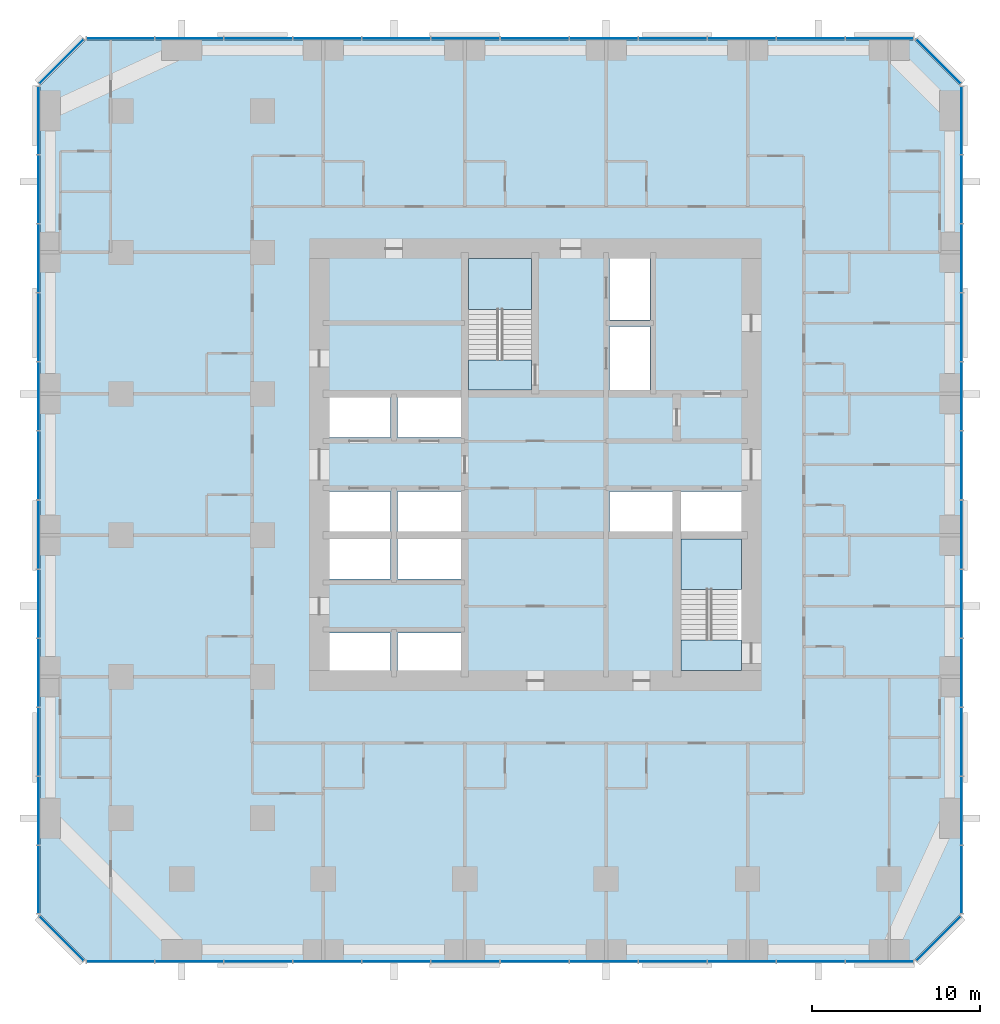
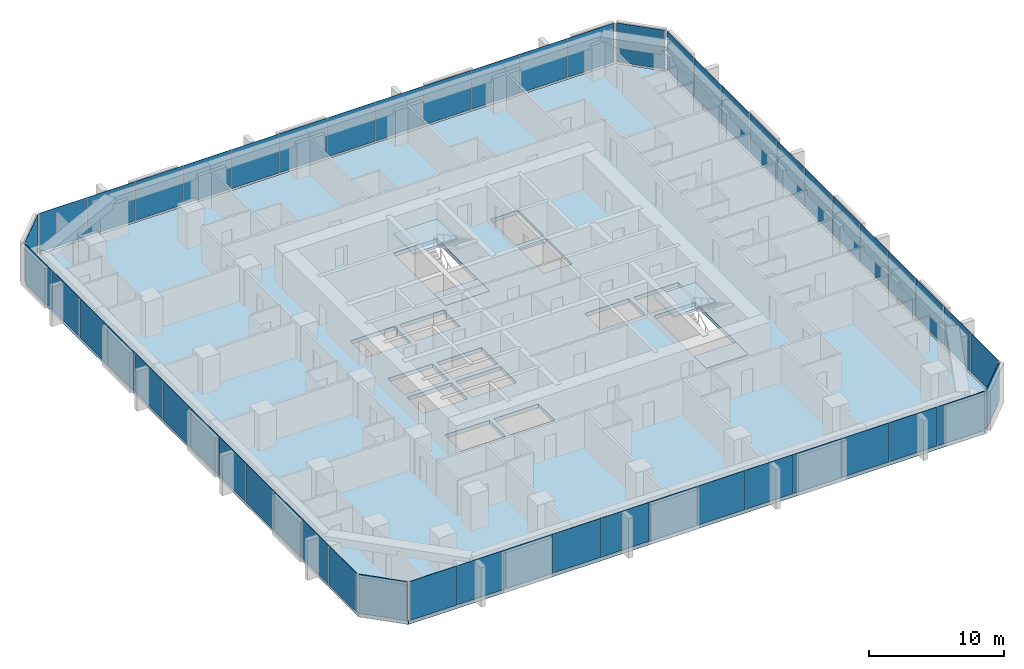
# One storey, part 7 of 13: 52 plates, 5 slabs, 10 elements without a shape of their own.
"""IFC4 building model written with IfcOpenShell, lengths in metres."""

from ifc_helpers import new_model, si_unit, direction, frame, origin, origin_2d, place, context, subcontext, project, spatial, polyline, rectangle, outline, extrude, material, layer, layer_set, type_object, element, aggregate, save


model = new_model("IFC4")

# Units and contexts
model_context = context("Model", 3, precision=1e-05, world=origin(), true_north=direction((0.0, 1.0)))
body_context = subcontext(model_context, "Body", "Model", "MODEL_VIEW")
ifc_project = project(units=[si_unit("LENGTHUNIT", "METRE"), si_unit("AREAUNIT", "SQUARE_METRE"), si_unit("VOLUMEUNIT", "CUBIC_METRE"), si_unit("PLANEANGLEUNIT", "RADIAN"), si_unit("MASSUNIT", "GRAM", prefix="KILO")], contexts=[model_context])

# Site, building, storey
site_placement = place(None, origin())
site = spatial("IfcSite", under=ifc_project, at=site_placement, CompositionType="ELEMENT")
building_placement = place(site_placement, origin())
building = spatial("IfcBuilding", under=site, at=building_placement, Name="Dunama Terrace Hotel", CompositionType="ELEMENT")
storey_placement = place(building_placement, frame((0.0, 0.0, 115.199951171875)))
storey = spatial("IfcBuildingStorey", under=building, at=storey_placement, Name="L29", CompositionType="ELEMENT", Elevation=115.199951171875)

# Curtain wall, plates
ifc_material_1 = material(Name="Aluminium curtain wall system", Category="aluminium")
curtain_wall_type = type_object("IfcCurtainWallType", Name="Unitised fritted glass wall CW-B", PredefinedType="NOTDEFINED", material=ifc_material_1)
curtain_wall_1_placement = place(storey_placement, origin())
curtain_wall_1 = element("IfcCurtainWall", 1, at=curtain_wall_1_placement, inside=storey, type_object=curtain_wall_type, Name="Unitised fritted glass wall CW-B L29", PredefinedType="NOTDEFINED")
ifc_material_2 = material(Name="Laminated glass", Category="glass")
ifc_layer_1 = layer(ifc_material_2, 0.030029296875)
ifc_layer_set_1 = layer_set([ifc_layer_1], Name="CWB clear glass panel")
plate_type_1 = type_object("IfcPlateType", Name="CWB clear glass panel", PredefinedType="CURTAIN_PANEL", material=ifc_layer_set_1)
plate_1_placement = place(storey_placement, frame((4.76611328125, -0.110107421875, 0.080078125), z_axis=(0.0, 0.0, 1.0), x_axis=(1.0, 0.0, 0.0)))
plate_1 = element("IfcPlate", 2, at=plate_1_placement, type_object=plate_type_1, Name="CWB clear glass panel", PredefinedType="CURTAIN_PANEL", context=body_context, shape_type="SweptSolid", body=[
    extrude(rectangle(XDim=4.00244140625, YDim=0.030029296875, at=origin_2d()), origin(), (0.0, 0.0, 1.0), 3.52001953125),
])
plate_2_placement = place(storey_placement, frame((17.050048828125, -0.110107421875, 0.080078125), z_axis=(0.0, 0.0, 1.0), x_axis=(1.0, 0.0, 0.0)))
plate_2 = element("IfcPlate", 3, at=plate_2_placement, type_object=plate_type_1, Name="CWB clear glass panel", PredefinedType="CURTAIN_PANEL", context=body_context, shape_type="SweptSolid", body=[
    extrude(rectangle(XDim=4.034912109375, YDim=0.030029296875, at=origin_2d()), origin(), (0.0, 0.0, 1.0), 3.52001953125),
])
plate_3_placement = place(storey_placement, frame((29.35009765625, -0.110107421875, 0.080078125), z_axis=(0.0, 0.0, 1.0), x_axis=(1.0, 0.0, 0.0)))
plate_3 = element("IfcPlate", 4, at=plate_3_placement, type_object=plate_type_1, Name="CWB clear glass panel", PredefinedType="CURTAIN_PANEL", context=body_context, shape_type="SweptSolid", body=[
    extrude(rectangle(XDim=4.034912109375, YDim=0.030029296875, at=origin_2d()), origin(), (0.0, 0.0, 1.0), 3.52001953125),
])
plate_4_placement = place(storey_placement, frame((41.64990234375, -0.110107421875, 0.080078125), z_axis=(0.0, 0.0, 1.0), x_axis=(1.0, 0.0, 0.0)))
plate_4 = element("IfcPlate", 5, at=plate_4_placement, type_object=plate_type_1, Name="CWB clear glass panel", PredefinedType="CURTAIN_PANEL", context=body_context, shape_type="SweptSolid", body=[
    extrude(rectangle(XDim=4.034912109375, YDim=0.030029296875, at=origin_2d()), origin(), (0.0, 0.0, 1.0), 3.52001953125),
])

# Curtain wall, plate
curtain_wall_2_placement = place(storey_placement, origin())
curtain_wall_2 = element("IfcCurtainWall", 6, at=curtain_wall_2_placement, inside=storey, type_object=curtain_wall_type, Name="Unitised fritted glass wall CW-B L29", PredefinedType="NOTDEFINED")
plate_5_placement = place(storey_placement, frame((53.327880859375, 1.27197265625, 0.080078125), z_axis=(0.0, 0.0, 1.0), x_axis=(0.707106781187, 0.707106781187, 0.0)))
plate_5 = element("IfcPlate", 7, at=plate_5_placement, type_object=plate_type_1, Name="CWB clear glass panel", PredefinedType="CURTAIN_PANEL", context=body_context, shape_type="SweptSolid", body=[
    extrude(rectangle(XDim=3.6884765625, YDim=0.030029296875, at=origin_2d()), origin(), (0.0, 0.0, 1.0), 3.52001953125),
])
aggregate(curtain_wall_2, [plate_5])

# Curtain wall, plates
curtain_wall_3_placement = place(storey_placement, origin())
curtain_wall_3 = element("IfcCurtainWall", 8, at=curtain_wall_3_placement, inside=storey, type_object=curtain_wall_type, Name="Unitised fritted glass wall CW-B L29", PredefinedType="NOTDEFINED")
plate_6_placement = place(storey_placement, frame((54.7099609375, 12.949951171875, 0.080078125), z_axis=(0.0, 0.0, 1.0), x_axis=(0.0, 1.0, 0.0)))
plate_6 = element("IfcPlate", 9, at=plate_6_placement, type_object=plate_type_1, Name="CWB clear glass panel", PredefinedType="CURTAIN_PANEL", context=body_context, shape_type="SweptSolid", body=[
    extrude(rectangle(XDim=4.034912109375, YDim=0.030029296875, at=origin_2d()), origin(), (0.0, 0.0, 1.0), 3.52001953125),
])
plate_7_placement = place(storey_placement, frame((54.7099609375, 25.25, 0.080078125), z_axis=(0.0, 0.0, 1.0), x_axis=(0.0, 1.0, 0.0)))
plate_7 = element("IfcPlate", 10, at=plate_7_placement, type_object=plate_type_1, Name="CWB clear glass panel", PredefinedType="CURTAIN_PANEL", context=body_context, shape_type="SweptSolid", body=[
    extrude(rectangle(XDim=4.034912109375, YDim=0.030029296875, at=origin_2d()), origin(), (0.0, 0.0, 1.0), 3.52001953125),
])
plate_8_placement = place(storey_placement, frame((54.7099609375, 37.550048828125, 0.080078125), z_axis=(0.0, 0.0, 1.0), x_axis=(0.0, 1.0, 0.0)))
plate_8 = element("IfcPlate", 11, at=plate_8_placement, type_object=plate_type_1, Name="CWB clear glass panel", PredefinedType="CURTAIN_PANEL", context=body_context, shape_type="SweptSolid", body=[
    extrude(rectangle(XDim=4.034912109375, YDim=0.030029296875, at=origin_2d()), origin(), (0.0, 0.0, 1.0), 3.52001953125),
])
plate_9_placement = place(storey_placement, frame((54.7099609375, 49.833984375, 0.080078125), z_axis=(0.0, 0.0, 1.0), x_axis=(0.0, 1.0, 0.0)))
plate_9 = element("IfcPlate", 12, at=plate_9_placement, type_object=plate_type_1, Name="CWB clear glass panel", PredefinedType="CURTAIN_PANEL", context=body_context, shape_type="SweptSolid", body=[
    extrude(rectangle(XDim=4.00244140625, YDim=0.030029296875, at=origin_2d()), origin(), (0.0, 0.0, 1.0), 3.52001953125),
])

curtain_wall_4_placement = place(storey_placement, origin())
curtain_wall_4 = element("IfcCurtainWall", 13, at=curtain_wall_4_placement, inside=storey, type_object=curtain_wall_type, Name="Unitised fritted glass wall CW-B L29", PredefinedType="NOTDEFINED")
plate_10_placement = place(storey_placement, frame((45.75, 54.7099609375, 0.080078125), z_axis=(0.0, 0.0, 1.0), x_axis=(-1.0, 0.0, 0.0)))
plate_10 = element("IfcPlate", 14, at=plate_10_placement, type_object=plate_type_1, Name="CWB clear glass panel", PredefinedType="CURTAIN_PANEL", context=body_context, shape_type="SweptSolid", body=[
    extrude(rectangle(XDim=4.034912109375, YDim=0.030029296875, at=origin_2d()), origin(), (0.0, 0.0, 1.0), 3.52001953125),
])
plate_11_placement = place(storey_placement, frame((33.449951171875, 54.7099609375, 0.080078125), z_axis=(0.0, 0.0, 1.0), x_axis=(-1.0, 0.0, 0.0)))
plate_11 = element("IfcPlate", 15, at=plate_11_placement, type_object=plate_type_1, Name="CWB clear glass panel", PredefinedType="CURTAIN_PANEL", context=body_context, shape_type="SweptSolid", body=[
    extrude(rectangle(XDim=4.034912109375, YDim=0.030029296875, at=origin_2d()), origin(), (0.0, 0.0, 1.0), 3.52001953125),
])
plate_12_placement = place(storey_placement, frame((21.14990234375, 54.7099609375, 0.080078125), z_axis=(0.0, 0.0, 1.0), x_axis=(-1.0, 0.0, 0.0)))
plate_12 = element("IfcPlate", 16, at=plate_12_placement, type_object=plate_type_1, Name="CWB clear glass panel", PredefinedType="CURTAIN_PANEL", context=body_context, shape_type="SweptSolid", body=[
    extrude(rectangle(XDim=4.034912109375, YDim=0.030029296875, at=origin_2d()), origin(), (0.0, 0.0, 1.0), 3.52001953125),
])
plate_13_placement = place(storey_placement, frame((8.85009765625, 54.7099609375, 0.080078125), z_axis=(0.0, 0.0, 1.0), x_axis=(-1.0, 0.0, 0.0)))
plate_13 = element("IfcPlate", 17, at=plate_13_placement, type_object=plate_type_1, Name="CWB clear glass panel", PredefinedType="CURTAIN_PANEL", context=body_context, shape_type="SweptSolid", body=[
    extrude(rectangle(XDim=4.034912109375, YDim=0.030029296875, at=origin_2d()), origin(), (0.0, 0.0, 1.0), 3.52001953125),
])

curtain_wall_5_placement = place(storey_placement, origin())
curtain_wall_5 = element("IfcCurtainWall", 18, at=curtain_wall_5_placement, inside=storey, type_object=curtain_wall_type, Name="Unitised fritted glass wall CW-B L29", PredefinedType="NOTDEFINED")
plate_14_placement = place(storey_placement, frame((-0.110107421875, 49.833984375, 0.080078125), z_axis=(0.0, 0.0, 1.0), x_axis=(0.0, -1.0, 0.0)))
plate_14 = element("IfcPlate", 19, at=plate_14_placement, type_object=plate_type_1, Name="CWB clear glass panel", PredefinedType="CURTAIN_PANEL", context=body_context, shape_type="SweptSolid", body=[
    extrude(rectangle(XDim=4.00244140625, YDim=0.030029296875, at=origin_2d()), origin(), (0.0, 0.0, 1.0), 3.52001953125),
])
plate_15_placement = place(storey_placement, frame((-0.110107421875, 37.550048828125, 0.080078125), z_axis=(0.0, 0.0, 1.0), x_axis=(0.0, -1.0, 0.0)))
plate_15 = element("IfcPlate", 20, at=plate_15_placement, type_object=plate_type_1, Name="CWB clear glass panel", PredefinedType="CURTAIN_PANEL", context=body_context, shape_type="SweptSolid", body=[
    extrude(rectangle(XDim=4.034912109375, YDim=0.030029296875, at=origin_2d()), origin(), (0.0, 0.0, 1.0), 3.52001953125),
])
plate_16_placement = place(storey_placement, frame((-0.110107421875, 25.25, 0.080078125), z_axis=(0.0, 0.0, 1.0), x_axis=(0.0, -1.0, 0.0)))
plate_16 = element("IfcPlate", 21, at=plate_16_placement, type_object=plate_type_1, Name="CWB clear glass panel", PredefinedType="CURTAIN_PANEL", context=body_context, shape_type="SweptSolid", body=[
    extrude(rectangle(XDim=4.034912109375, YDim=0.030029296875, at=origin_2d()), origin(), (0.0, 0.0, 1.0), 3.52001953125),
])
plate_17_placement = place(storey_placement, frame((-0.110107421875, 12.949951171875, 0.080078125), z_axis=(0.0, 0.0, 1.0), x_axis=(0.0, -1.0, 0.0)))
plate_17 = element("IfcPlate", 22, at=plate_17_placement, type_object=plate_type_1, Name="CWB clear glass panel", PredefinedType="CURTAIN_PANEL", context=body_context, shape_type="SweptSolid", body=[
    extrude(rectangle(XDim=4.034912109375, YDim=0.030029296875, at=origin_2d()), origin(), (0.0, 0.0, 1.0), 3.52001953125),
])

# Curtain wall, plate
curtain_wall_6_placement = place(storey_placement, origin())
curtain_wall_6 = element("IfcCurtainWall", 23, at=curtain_wall_6_placement, inside=storey, type_object=curtain_wall_type, Name="Unitised fritted glass wall CW-B L29", PredefinedType="NOTDEFINED")
plate_18_placement = place(storey_placement, frame((1.27197265625, 1.27197265625, 0.080078125), z_axis=(0.0, 0.0, 1.0), x_axis=(0.707106781187, -0.707106781187, 0.0)))
plate_18 = element("IfcPlate", 24, at=plate_18_placement, type_object=plate_type_1, Name="CWB clear glass panel", PredefinedType="CURTAIN_PANEL", context=body_context, shape_type="SweptSolid", body=[
    extrude(rectangle(XDim=3.6884765625, YDim=0.030029296875, at=origin_2d()), origin(), (0.0, 0.0, 1.0), 3.52001953125),
])
aggregate(curtain_wall_6, [plate_18])

# Plate
ifc_material_3 = material(Name="Fritted laminated glass", Category="glass")
ifc_layer_2 = layer(ifc_material_3, 0.030029296875)
ifc_layer_set_2 = layer_set([ifc_layer_2], Name="CWB fritted glass panel")
plate_type_2 = type_object("IfcPlateType", Name="CWB fritted glass panel", PredefinedType="CURTAIN_PANEL", material=ifc_layer_set_2)
plate_19_placement = place(storey_placement, frame((12.949951171875, -0.110107421875, 0.080078125), z_axis=(0.0, 0.0, 1.0), x_axis=(1.0, 0.0, 0.0)))
plate_19 = element("IfcPlate", 25, at=plate_19_placement, type_object=plate_type_2, Name="CWB fritted glass panel", PredefinedType="CURTAIN_PANEL", context=body_context, shape_type="SweptSolid", body=[
    extrude(rectangle(XDim=4.034912109375, YDim=0.030029296875, at=origin_2d()), origin(), (0.0, 0.0, 1.0), 3.52001953125),
])

plate_20_placement = place(storey_placement, frame((25.25, -0.110107421875, 0.080078125), z_axis=(0.0, 0.0, 1.0), x_axis=(1.0, 0.0, 0.0)))
plate_20 = element("IfcPlate", 26, at=plate_20_placement, type_object=plate_type_2, Name="CWB fritted glass panel", PredefinedType="CURTAIN_PANEL", context=body_context, shape_type="SweptSolid", body=[
    extrude(rectangle(XDim=4.034912109375, YDim=0.030029296875, at=origin_2d()), origin(), (0.0, 0.0, 1.0), 3.52001953125),
])

plate_21_placement = place(storey_placement, frame((37.550048828125, -0.110107421875, 0.080078125), z_axis=(0.0, 0.0, 1.0), x_axis=(1.0, 0.0, 0.0)))
plate_21 = element("IfcPlate", 27, at=plate_21_placement, type_object=plate_type_2, Name="CWB fritted glass panel", PredefinedType="CURTAIN_PANEL", context=body_context, shape_type="SweptSolid", body=[
    extrude(rectangle(XDim=4.034912109375, YDim=0.030029296875, at=origin_2d()), origin(), (0.0, 0.0, 1.0), 3.52001953125),
])

plate_22_placement = place(storey_placement, frame((49.833984375, -0.110107421875, 0.080078125), z_axis=(0.0, 0.0, 1.0), x_axis=(1.0, 0.0, 0.0)))
plate_22 = element("IfcPlate", 28, at=plate_22_placement, type_object=plate_type_2, Name="CWB fritted glass panel", PredefinedType="CURTAIN_PANEL", context=body_context, shape_type="SweptSolid", body=[
    extrude(rectangle(XDim=4.00244140625, YDim=0.030029296875, at=origin_2d()), origin(), (0.0, 0.0, 1.0), 3.52001953125),
])

plate_23_placement = place(storey_placement, frame((54.7099609375, 8.85009765625, 0.080078125), z_axis=(0.0, 0.0, 1.0), x_axis=(0.0, 1.0, 0.0)))
plate_23 = element("IfcPlate", 29, at=plate_23_placement, type_object=plate_type_2, Name="CWB fritted glass panel", PredefinedType="CURTAIN_PANEL", context=body_context, shape_type="SweptSolid", body=[
    extrude(rectangle(XDim=4.034912109375, YDim=0.030029296875, at=origin_2d()), origin(), (0.0, 0.0, 1.0), 3.52001953125),
])

plate_24_placement = place(storey_placement, frame((54.7099609375, 21.14990234375, 0.080078125), z_axis=(0.0, 0.0, 1.0), x_axis=(0.0, 1.0, 0.0)))
plate_24 = element("IfcPlate", 30, at=plate_24_placement, type_object=plate_type_2, Name="CWB fritted glass panel", PredefinedType="CURTAIN_PANEL", context=body_context, shape_type="SweptSolid", body=[
    extrude(rectangle(XDim=4.034912109375, YDim=0.030029296875, at=origin_2d()), origin(), (0.0, 0.0, 1.0), 3.52001953125),
])

plate_25_placement = place(storey_placement, frame((54.7099609375, 33.449951171875, 0.080078125), z_axis=(0.0, 0.0, 1.0), x_axis=(0.0, 1.0, 0.0)))
plate_25 = element("IfcPlate", 31, at=plate_25_placement, type_object=plate_type_2, Name="CWB fritted glass panel", PredefinedType="CURTAIN_PANEL", context=body_context, shape_type="SweptSolid", body=[
    extrude(rectangle(XDim=4.034912109375, YDim=0.030029296875, at=origin_2d()), origin(), (0.0, 0.0, 1.0), 3.52001953125),
])

plate_26_placement = place(storey_placement, frame((54.7099609375, 45.75, 0.080078125), z_axis=(0.0, 0.0, 1.0), x_axis=(0.0, 1.0, 0.0)))
plate_26 = element("IfcPlate", 32, at=plate_26_placement, type_object=plate_type_2, Name="CWB fritted glass panel", PredefinedType="CURTAIN_PANEL", context=body_context, shape_type="SweptSolid", body=[
    extrude(rectangle(XDim=4.034912109375, YDim=0.030029296875, at=origin_2d()), origin(), (0.0, 0.0, 1.0), 3.52001953125),
])

plate_27_placement = place(storey_placement, frame((49.833984375, 54.7099609375, 0.080078125), z_axis=(0.0, 0.0, 1.0), x_axis=(-1.0, 0.0, 0.0)))
plate_27 = element("IfcPlate", 33, at=plate_27_placement, type_object=plate_type_2, Name="CWB fritted glass panel", PredefinedType="CURTAIN_PANEL", context=body_context, shape_type="SweptSolid", body=[
    extrude(rectangle(XDim=4.00244140625, YDim=0.030029296875, at=origin_2d()), origin(), (0.0, 0.0, 1.0), 3.52001953125),
])

plate_28_placement = place(storey_placement, frame((37.550048828125, 54.7099609375, 0.080078125), z_axis=(0.0, 0.0, 1.0), x_axis=(-1.0, 0.0, 0.0)))
plate_28 = element("IfcPlate", 34, at=plate_28_placement, type_object=plate_type_2, Name="CWB fritted glass panel", PredefinedType="CURTAIN_PANEL", context=body_context, shape_type="SweptSolid", body=[
    extrude(rectangle(XDim=4.034912109375, YDim=0.030029296875, at=origin_2d()), origin(), (0.0, 0.0, 1.0), 3.52001953125),
])

plate_29_placement = place(storey_placement, frame((25.25, 54.7099609375, 0.080078125), z_axis=(0.0, 0.0, 1.0), x_axis=(-1.0, 0.0, 0.0)))
plate_29 = element("IfcPlate", 35, at=plate_29_placement, type_object=plate_type_2, Name="CWB fritted glass panel", PredefinedType="CURTAIN_PANEL", context=body_context, shape_type="SweptSolid", body=[
    extrude(rectangle(XDim=4.034912109375, YDim=0.030029296875, at=origin_2d()), origin(), (0.0, 0.0, 1.0), 3.52001953125),
])

plate_30_placement = place(storey_placement, frame((12.949951171875, 54.7099609375, 0.080078125), z_axis=(0.0, 0.0, 1.0), x_axis=(-1.0, 0.0, 0.0)))
plate_30 = element("IfcPlate", 36, at=plate_30_placement, type_object=plate_type_2, Name="CWB fritted glass panel", PredefinedType="CURTAIN_PANEL", context=body_context, shape_type="SweptSolid", body=[
    extrude(rectangle(XDim=4.034912109375, YDim=0.030029296875, at=origin_2d()), origin(), (0.0, 0.0, 1.0), 3.52001953125),
])

# Curtain wall, plate
curtain_wall_7_placement = place(storey_placement, origin())
curtain_wall_7 = element("IfcCurtainWall", 37, at=curtain_wall_7_placement, inside=storey, type_object=curtain_wall_type, Name="Unitised fritted glass wall CW-B L29", PredefinedType="NOTDEFINED")
plate_31_placement = place(storey_placement, frame((1.27197265625, 53.327880859375, 0.080078125), z_axis=(0.0, 0.0, 1.0), x_axis=(-0.707106781187, -0.707106781187, 0.0)))
plate_31 = element("IfcPlate", 38, at=plate_31_placement, type_object=plate_type_2, Name="CWB fritted glass panel", PredefinedType="CURTAIN_PANEL", context=body_context, shape_type="SweptSolid", body=[
    extrude(rectangle(XDim=3.6884765625, YDim=0.030029296875, at=origin_2d()), origin(), (0.0, 0.0, 1.0), 3.52001953125),
])
aggregate(curtain_wall_7, [plate_31])

# Plate
plate_32_placement = place(storey_placement, frame((-0.110107421875, 41.64990234375, 0.080078125), z_axis=(0.0, 0.0, 1.0), x_axis=(0.0, -1.0, 0.0)))
plate_32 = element("IfcPlate", 39, at=plate_32_placement, type_object=plate_type_2, Name="CWB fritted glass panel", PredefinedType="CURTAIN_PANEL", context=body_context, shape_type="SweptSolid", body=[
    extrude(rectangle(XDim=4.034912109375, YDim=0.030029296875, at=origin_2d()), origin(), (0.0, 0.0, 1.0), 3.52001953125),
])

plate_33_placement = place(storey_placement, frame((-0.110107421875, 29.35009765625, 0.080078125), z_axis=(0.0, 0.0, 1.0), x_axis=(0.0, -1.0, 0.0)))
plate_33 = element("IfcPlate", 40, at=plate_33_placement, type_object=plate_type_2, Name="CWB fritted glass panel", PredefinedType="CURTAIN_PANEL", context=body_context, shape_type="SweptSolid", body=[
    extrude(rectangle(XDim=4.034912109375, YDim=0.030029296875, at=origin_2d()), origin(), (0.0, 0.0, 1.0), 3.52001953125),
])

plate_34_placement = place(storey_placement, frame((-0.110107421875, 17.050048828125, 0.080078125), z_axis=(0.0, 0.0, 1.0), x_axis=(0.0, -1.0, 0.0)))
plate_34 = element("IfcPlate", 41, at=plate_34_placement, type_object=plate_type_2, Name="CWB fritted glass panel", PredefinedType="CURTAIN_PANEL", context=body_context, shape_type="SweptSolid", body=[
    extrude(rectangle(XDim=4.034912109375, YDim=0.030029296875, at=origin_2d()), origin(), (0.0, 0.0, 1.0), 3.52001953125),
])

plate_35_placement = place(storey_placement, frame((-0.110107421875, 4.76611328125, 0.080078125), z_axis=(0.0, 0.0, 1.0), x_axis=(0.0, -1.0, 0.0)))
plate_35 = element("IfcPlate", 42, at=plate_35_placement, type_object=plate_type_2, Name="CWB fritted glass panel", PredefinedType="CURTAIN_PANEL", context=body_context, shape_type="SweptSolid", body=[
    extrude(rectangle(XDim=4.00244140625, YDim=0.030029296875, at=origin_2d()), origin(), (0.0, 0.0, 1.0), 3.52001953125),
])

ifc_material_4 = material(Name="Laminated glass", Category="glass")
ifc_layer_3 = layer(ifc_material_4, 0.030029296875)
ifc_layer_set_3 = layer_set([ifc_layer_3], Name="CWB operable glass panel")
plate_type_3 = type_object("IfcPlateType", Name="CWB operable glass panel", PredefinedType="CURTAIN_PANEL", material=ifc_layer_set_3)
plate_36_placement = place(storey_placement, frame((8.85009765625, -0.110107421875, 0.080078125), z_axis=(0.0, 0.0, 1.0), x_axis=(1.0, 0.0, 0.0)))
plate_36 = element("IfcPlate", 43, at=plate_36_placement, type_object=plate_type_3, Name="CWB operable glass panel", PredefinedType="CURTAIN_PANEL", context=body_context, shape_type="SweptSolid", body=[
    extrude(rectangle(XDim=4.034912109375, YDim=0.030029296875, at=origin_2d()), origin(), (0.0, 0.0, 1.0), 3.52001953125),
])

plate_37_placement = place(storey_placement, frame((21.14990234375, -0.110107421875, 0.080078125), z_axis=(0.0, 0.0, 1.0), x_axis=(1.0, 0.0, 0.0)))
plate_37 = element("IfcPlate", 44, at=plate_37_placement, type_object=plate_type_3, Name="CWB operable glass panel", PredefinedType="CURTAIN_PANEL", context=body_context, shape_type="SweptSolid", body=[
    extrude(rectangle(XDim=4.034912109375, YDim=0.030029296875, at=origin_2d()), origin(), (0.0, 0.0, 1.0), 3.52001953125),
])

plate_38_placement = place(storey_placement, frame((33.449951171875, -0.110107421875, 0.080078125), z_axis=(0.0, 0.0, 1.0), x_axis=(1.0, 0.0, 0.0)))
plate_38 = element("IfcPlate", 45, at=plate_38_placement, type_object=plate_type_3, Name="CWB operable glass panel", PredefinedType="CURTAIN_PANEL", context=body_context, shape_type="SweptSolid", body=[
    extrude(rectangle(XDim=4.034912109375, YDim=0.030029296875, at=origin_2d()), origin(), (0.0, 0.0, 1.0), 3.52001953125),
])

plate_39_placement = place(storey_placement, frame((45.75, -0.110107421875, 0.080078125), z_axis=(0.0, 0.0, 1.0), x_axis=(1.0, 0.0, 0.0)))
plate_39 = element("IfcPlate", 46, at=plate_39_placement, type_object=plate_type_3, Name="CWB operable glass panel", PredefinedType="CURTAIN_PANEL", context=body_context, shape_type="SweptSolid", body=[
    extrude(rectangle(XDim=4.034912109375, YDim=0.030029296875, at=origin_2d()), origin(), (0.0, 0.0, 1.0), 3.52001953125),
])

aggregate(curtain_wall_1, [plate_1, plate_36, plate_19, plate_2, plate_37, plate_20, plate_3, plate_38, plate_21, plate_4, plate_39, plate_22])

plate_40_placement = place(storey_placement, frame((54.7099609375, 4.76611328125, 0.080078125), z_axis=(0.0, 0.0, 1.0), x_axis=(0.0, 1.0, 0.0)))
plate_40 = element("IfcPlate", 47, at=plate_40_placement, type_object=plate_type_3, Name="CWB operable glass panel", PredefinedType="CURTAIN_PANEL", context=body_context, shape_type="SweptSolid", body=[
    extrude(rectangle(XDim=4.00244140625, YDim=0.030029296875, at=origin_2d()), origin(), (0.0, 0.0, 1.0), 3.52001953125),
])

plate_41_placement = place(storey_placement, frame((54.7099609375, 17.050048828125, 0.080078125), z_axis=(0.0, 0.0, 1.0), x_axis=(0.0, 1.0, 0.0)))
plate_41 = element("IfcPlate", 48, at=plate_41_placement, type_object=plate_type_3, Name="CWB operable glass panel", PredefinedType="CURTAIN_PANEL", context=body_context, shape_type="SweptSolid", body=[
    extrude(rectangle(XDim=4.034912109375, YDim=0.030029296875, at=origin_2d()), origin(), (0.0, 0.0, 1.0), 3.52001953125),
])

plate_42_placement = place(storey_placement, frame((54.7099609375, 29.35009765625, 0.080078125), z_axis=(0.0, 0.0, 1.0), x_axis=(0.0, 1.0, 0.0)))
plate_42 = element("IfcPlate", 49, at=plate_42_placement, type_object=plate_type_3, Name="CWB operable glass panel", PredefinedType="CURTAIN_PANEL", context=body_context, shape_type="SweptSolid", body=[
    extrude(rectangle(XDim=4.034912109375, YDim=0.030029296875, at=origin_2d()), origin(), (0.0, 0.0, 1.0), 3.52001953125),
])

plate_43_placement = place(storey_placement, frame((54.7099609375, 41.64990234375, 0.080078125), z_axis=(0.0, 0.0, 1.0), x_axis=(0.0, 1.0, 0.0)))
plate_43 = element("IfcPlate", 50, at=plate_43_placement, type_object=plate_type_3, Name="CWB operable glass panel", PredefinedType="CURTAIN_PANEL", context=body_context, shape_type="SweptSolid", body=[
    extrude(rectangle(XDim=4.034912109375, YDim=0.030029296875, at=origin_2d()), origin(), (0.0, 0.0, 1.0), 3.52001953125),
])

aggregate(curtain_wall_3, [plate_40, plate_23, plate_6, plate_41, plate_24, plate_7, plate_42, plate_25, plate_8, plate_43, plate_26, plate_9])

# Curtain wall, plate
curtain_wall_8_placement = place(storey_placement, origin())
curtain_wall_8 = element("IfcCurtainWall", 51, at=curtain_wall_8_placement, inside=storey, type_object=curtain_wall_type, Name="Unitised fritted glass wall CW-B L29", PredefinedType="NOTDEFINED")
plate_44_placement = place(storey_placement, frame((53.327880859375, 53.327880859375, 0.080078125), z_axis=(0.0, 0.0, 1.0), x_axis=(-0.707106781187, 0.707106781187, 0.0)))
plate_44 = element("IfcPlate", 52, at=plate_44_placement, type_object=plate_type_3, Name="CWB operable glass panel", PredefinedType="CURTAIN_PANEL", context=body_context, shape_type="SweptSolid", body=[
    extrude(rectangle(XDim=3.6884765625, YDim=0.030029296875, at=origin_2d()), origin(), (0.0, 0.0, 1.0), 3.52001953125),
])
aggregate(curtain_wall_8, [plate_44])

# Plate
plate_45_placement = place(storey_placement, frame((41.64990234375, 54.7099609375, 0.080078125), z_axis=(0.0, 0.0, 1.0), x_axis=(-1.0, 0.0, 0.0)))
plate_45 = element("IfcPlate", 53, at=plate_45_placement, type_object=plate_type_3, Name="CWB operable glass panel", PredefinedType="CURTAIN_PANEL", context=body_context, shape_type="SweptSolid", body=[
    extrude(rectangle(XDim=4.034912109375, YDim=0.030029296875, at=origin_2d()), origin(), (0.0, 0.0, 1.0), 3.52001953125),
])

plate_46_placement = place(storey_placement, frame((29.35009765625, 54.7099609375, 0.080078125), z_axis=(0.0, 0.0, 1.0), x_axis=(-1.0, 0.0, 0.0)))
plate_46 = element("IfcPlate", 54, at=plate_46_placement, type_object=plate_type_3, Name="CWB operable glass panel", PredefinedType="CURTAIN_PANEL", context=body_context, shape_type="SweptSolid", body=[
    extrude(rectangle(XDim=4.034912109375, YDim=0.030029296875, at=origin_2d()), origin(), (0.0, 0.0, 1.0), 3.52001953125),
])

plate_47_placement = place(storey_placement, frame((17.050048828125, 54.7099609375, 0.080078125), z_axis=(0.0, 0.0, 1.0), x_axis=(-1.0, 0.0, 0.0)))
plate_47 = element("IfcPlate", 55, at=plate_47_placement, type_object=plate_type_3, Name="CWB operable glass panel", PredefinedType="CURTAIN_PANEL", context=body_context, shape_type="SweptSolid", body=[
    extrude(rectangle(XDim=4.034912109375, YDim=0.030029296875, at=origin_2d()), origin(), (0.0, 0.0, 1.0), 3.52001953125),
])

plate_48_placement = place(storey_placement, frame((4.76611328125, 54.7099609375, 0.080078125), z_axis=(0.0, 0.0, 1.0), x_axis=(-1.0, 0.0, 0.0)))
plate_48 = element("IfcPlate", 56, at=plate_48_placement, type_object=plate_type_3, Name="CWB operable glass panel", PredefinedType="CURTAIN_PANEL", context=body_context, shape_type="SweptSolid", body=[
    extrude(rectangle(XDim=4.00244140625, YDim=0.030029296875, at=origin_2d()), origin(), (0.0, 0.0, 1.0), 3.52001953125),
])

aggregate(curtain_wall_4, [plate_27, plate_10, plate_45, plate_28, plate_11, plate_46, plate_29, plate_12, plate_47, plate_30, plate_13, plate_48])

plate_49_placement = place(storey_placement, frame((-0.110107421875, 45.75, 0.080078125), z_axis=(0.0, 0.0, 1.0), x_axis=(0.0, -1.0, 0.0)))
plate_49 = element("IfcPlate", 57, at=plate_49_placement, type_object=plate_type_3, Name="CWB operable glass panel", PredefinedType="CURTAIN_PANEL", context=body_context, shape_type="SweptSolid", body=[
    extrude(rectangle(XDim=4.034912109375, YDim=0.030029296875, at=origin_2d()), origin(), (0.0, 0.0, 1.0), 3.52001953125),
])

plate_50_placement = place(storey_placement, frame((-0.110107421875, 33.449951171875, 0.080078125), z_axis=(0.0, 0.0, 1.0), x_axis=(0.0, -1.0, 0.0)))
plate_50 = element("IfcPlate", 58, at=plate_50_placement, type_object=plate_type_3, Name="CWB operable glass panel", PredefinedType="CURTAIN_PANEL", context=body_context, shape_type="SweptSolid", body=[
    extrude(rectangle(XDim=4.034912109375, YDim=0.030029296875, at=origin_2d()), origin(), (0.0, 0.0, 1.0), 3.52001953125),
])

plate_51_placement = place(storey_placement, frame((-0.110107421875, 21.14990234375, 0.080078125), z_axis=(0.0, 0.0, 1.0), x_axis=(0.0, -1.0, 0.0)))
plate_51 = element("IfcPlate", 59, at=plate_51_placement, type_object=plate_type_3, Name="CWB operable glass panel", PredefinedType="CURTAIN_PANEL", context=body_context, shape_type="SweptSolid", body=[
    extrude(rectangle(XDim=4.034912109375, YDim=0.030029296875, at=origin_2d()), origin(), (0.0, 0.0, 1.0), 3.52001953125),
])

plate_52_placement = place(storey_placement, frame((-0.110107421875, 8.85009765625, 0.080078125), z_axis=(0.0, 0.0, 1.0), x_axis=(0.0, -1.0, 0.0)))
plate_52 = element("IfcPlate", 60, at=plate_52_placement, type_object=plate_type_3, Name="CWB operable glass panel", PredefinedType="CURTAIN_PANEL", context=body_context, shape_type="SweptSolid", body=[
    extrude(rectangle(XDim=4.034912109375, YDim=0.030029296875, at=origin_2d()), origin(), (0.0, 0.0, 1.0), 3.52001953125),
])

aggregate(curtain_wall_5, [plate_14, plate_49, plate_32, plate_15, plate_50, plate_33, plate_16, plate_51, plate_34, plate_17, plate_52, plate_35])

# Slab
ifc_material_5 = material(Name="Concrete C40/50", Category="concrete")
ifc_layer_4 = layer(ifc_material_5, 0.35009765625)
ifc_layer_set_4 = layer_set([ifc_layer_4], Name="Flat plate 350")
slab_type_1 = type_object("IfcSlabType", Name="Flat plate 350", PredefinedType="FLOOR", material=ifc_layer_set_4)
slab_1_placement = place(storey_placement, frame((0.0, 0.0, -0.349853515625)))
element("IfcSlab", 61, at=slab_1_placement, inside=storey, type_object=slab_type_1, Name="Floor slab L29", PredefinedType="FLOOR", context=body_context, shape_type="SweptSolid", body=[
    extrude(outline(polyline([(2.699951171875, 0.0), (51.89990234375, 0.0), (54.60009765625, 2.699951171875), (54.60009765625, 51.89990234375), (51.89990234375, 54.60009765625), (2.699951171875, 54.60009765625), (0.0, 51.89990234375), (0.0, 2.699951171875), (2.699951171875, 0.0)]), holes=[polyline([(37.60009765625, 25.39990234375), (37.60009765625, 27.800048828125), (33.800048828125, 27.800048828125), (33.800048828125, 25.39990234375), (37.60009765625, 25.39990234375)]), polyline([(41.800048828125, 25.39990234375), (41.800048828125, 27.800048828125), (38.0, 27.800048828125), (38.0, 25.39990234375), (41.800048828125, 25.39990234375)]), polyline([(20.800048828125, 17.0), (20.800048828125, 19.39990234375), (17.0, 19.39990234375), (17.0, 17.0), (20.800048828125, 17.0)]), polyline([(25.0, 17.0), (25.0, 19.39990234375), (21.199951171875, 19.39990234375), (21.199951171875, 17.0), (25.0, 17.0)]), polyline([(20.800048828125, 22.60009765625), (20.800048828125, 25.0), (17.0, 25.0), (17.0, 22.60009765625), (20.800048828125, 22.60009765625)]), polyline([(25.0, 22.60009765625), (25.0, 25.0), (21.199951171875, 25.0), (21.199951171875, 22.60009765625), (25.0, 22.60009765625)]), polyline([(20.800048828125, 25.39990234375), (20.800048828125, 27.800048828125), (17.0, 27.800048828125), (17.0, 25.39990234375), (20.800048828125, 25.39990234375)]), polyline([(25.0, 25.39990234375), (25.0, 27.800048828125), (21.199951171875, 27.800048828125), (21.199951171875, 25.39990234375), (25.0, 25.39990234375)]), polyline([(20.800048828125, 31.0), (20.800048828125, 33.39990234375), (17.0, 33.39990234375), (17.0, 31.0), (20.800048828125, 31.0)]), polyline([(25.0, 31.0), (25.0, 33.39990234375), (21.199951171875, 33.39990234375), (21.199951171875, 31.0), (25.0, 31.0)]), polyline([(36.199951171875, 38.0), (36.199951171875, 41.800048828125), (33.800048828125, 41.800048828125), (33.800048828125, 38.0), (36.199951171875, 38.0)]), polyline([(36.199951171875, 33.800048828125), (36.199951171875, 37.60009765625), (33.800048828125, 37.60009765625), (33.800048828125, 33.800048828125), (36.199951171875, 33.800048828125)]), polyline([(29.175048828125, 33.824951171875), (29.175048828125, 41.625), (25.425048828125, 41.625), (25.425048828125, 33.824951171875), (29.175048828125, 33.824951171875)]), polyline([(41.625, 17.175048828125), (41.625, 24.97509765625), (38.050048828125, 24.97509765625), (38.050048828125, 17.175048828125), (41.625, 17.175048828125)])]), origin(), (0.0, 0.0, 1.0), 0.349853515625),
])

# Stair, slabs
ifc_material_6 = material(Name="Concrete C40/50", Category="concrete")
stair_type_1 = type_object("IfcStairType", Name="Stair ST1-3600-1800", PredefinedType="HALF_TURN_STAIR", material=ifc_material_6)
stair_1_placement = place(storey_placement, origin())
stair_1 = element("IfcStair", 62, at=stair_1_placement, inside=storey, type_object=stair_type_1, Name="Stair ST1 L29", PredefinedType="HALF_TURN_STAIR")
ifc_material_7 = material(Name="Concrete C40/50", Category="concrete")
ifc_layer_5 = layer(ifc_material_7, 0.199951171875)
ifc_layer_set_5 = layer_set([ifc_layer_5], Name="Stair landing 200")
slab_type_2 = type_object("IfcSlabType", Name="Stair landing 200", PredefinedType="LANDING", material=ifc_layer_set_5)
slab_2_placement = place(storey_placement, frame((0.0, 0.0, -0.199951171875)))
slab_2 = element("IfcSlab", 63, at=slab_2_placement, type_object=slab_type_2, Name="ST1 landing 1, type S10", PredefinedType="LANDING", context=body_context, shape_type="SweptSolid", body=[
    extrude(outline(polyline([(25.425048828125, 33.824951171875), (29.175048828125, 33.824951171875), (29.175048828125, 35.625), (25.425048828125, 35.625), (25.425048828125, 33.824951171875)])), origin(), (0.0, 0.0, 1.0), 0.199951171875),
])
slab_3_placement = place(storey_placement, frame((0.0, 0.0, 1.60009765625)))
slab_3 = element("IfcSlab", 64, at=slab_3_placement, type_object=slab_type_2, Name="ST1 landing 2, type S10", PredefinedType="LANDING", context=body_context, shape_type="SweptSolid", body=[
    extrude(outline(polyline([(25.425048828125, 38.625), (29.175048828125, 38.625), (29.175048828125, 41.625), (25.425048828125, 41.625), (25.425048828125, 38.625)])), origin(), (0.0, 0.0, 1.0), 0.199951171875),
])
aggregate(stair_1, [slab_2, slab_3])

ifc_material_8 = material(Name="Concrete C40/50", Category="concrete")
stair_type_2 = type_object("IfcStairType", Name="Stair ST2-3600-1600", PredefinedType="HALF_TURN_STAIR", material=ifc_material_8)
stair_2_placement = place(storey_placement, origin())
stair_2 = element("IfcStair", 65, at=stair_2_placement, inside=storey, type_object=stair_type_2, Name="Stair ST2 L29", PredefinedType="HALF_TURN_STAIR")
slab_4_placement = place(storey_placement, frame((0.0, 0.0, -0.199951171875)))
slab_4 = element("IfcSlab", 66, at=slab_4_placement, type_object=slab_type_2, Name="ST2 landing 1, type S10", PredefinedType="LANDING", context=body_context, shape_type="SweptSolid", body=[
    extrude(outline(polyline([(38.050048828125, 17.175048828125), (41.625, 17.175048828125), (41.625, 19.0), (38.050048828125, 19.0), (38.050048828125, 17.175048828125)])), origin(), (0.0, 0.0, 1.0), 0.199951171875),
])
slab_5_placement = place(storey_placement, frame((0.0, 0.0, 1.60009765625)))
slab_5 = element("IfcSlab", 67, at=slab_5_placement, type_object=slab_type_2, Name="ST2 landing 2, type S10", PredefinedType="LANDING", context=body_context, shape_type="SweptSolid", body=[
    extrude(outline(polyline([(38.050048828125, 22.0), (41.625, 22.0), (41.625, 24.97509765625), (38.050048828125, 24.97509765625), (38.050048828125, 22.0)])), origin(), (0.0, 0.0, 1.0), 0.199951171875),
])
aggregate(stair_2, [slab_4, slab_5])

save(model, "model.ifc")
